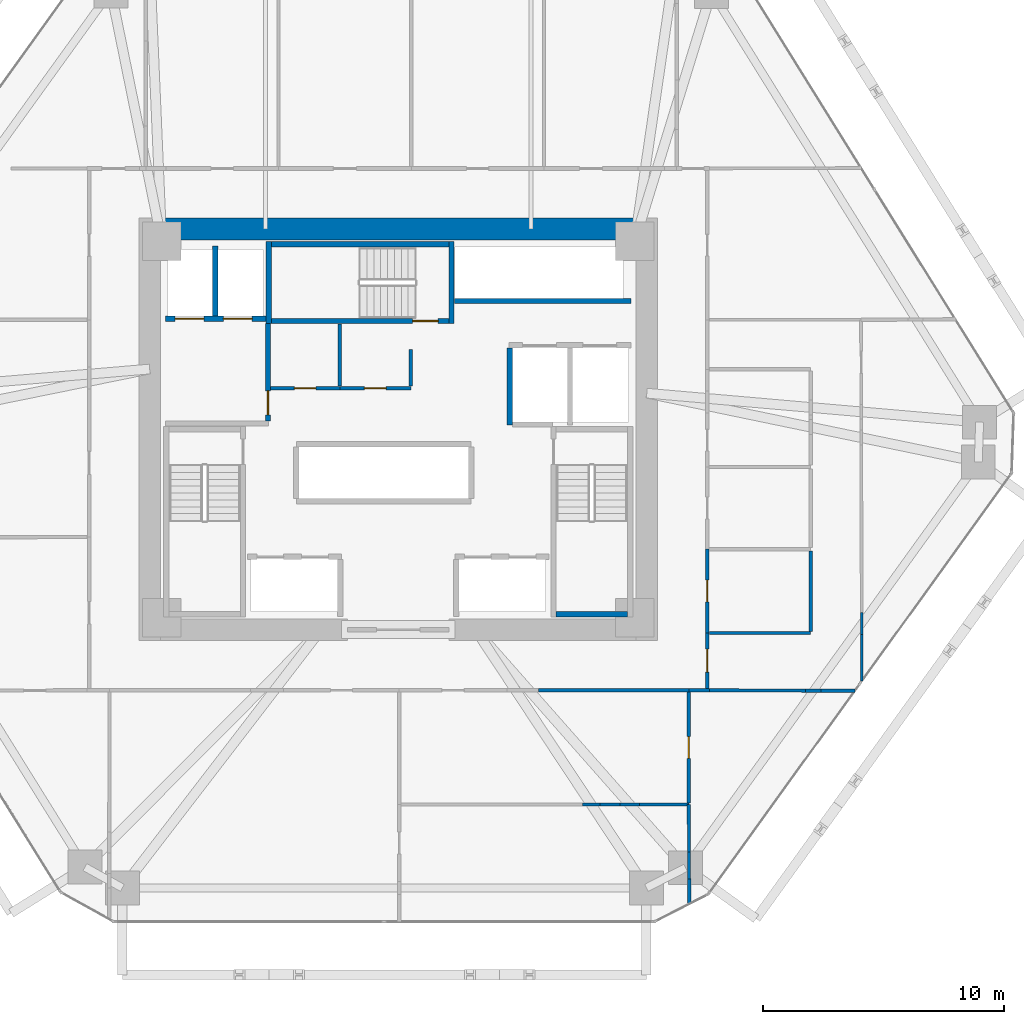
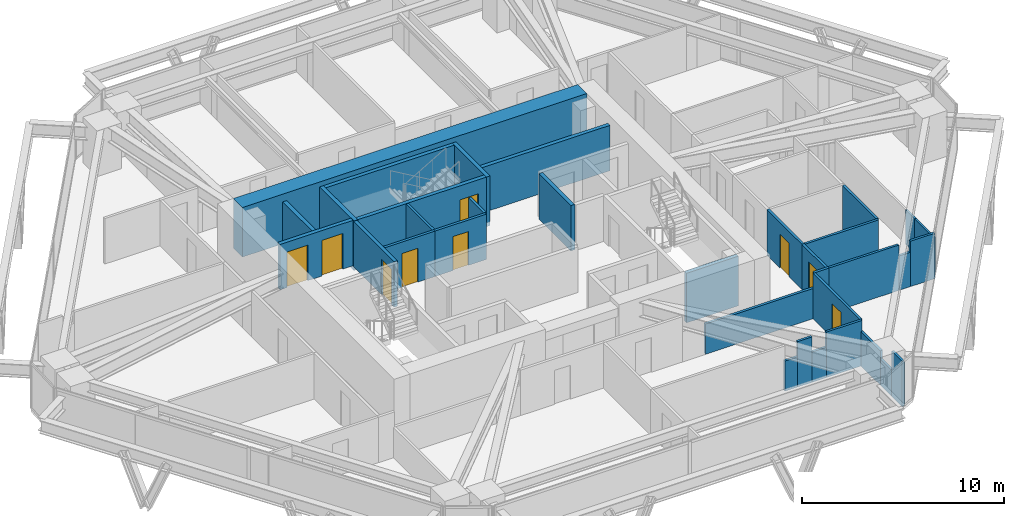
# One storey, part 12 of 15: 34 walls, 9 doors, 9 openings.
"""IFC4 building model written with IfcOpenShell, lengths in metres."""

from ifc_helpers import new_model, si_unit, direction, frame, frame_2d, origin, place, context, subcontext, project, spatial, rectangle, extrude, source, transform, mapped, material, layer, layer_set, type_object, type_shapes, element, fill, save


model = new_model("IFC4")

# Units and contexts
model_context = context("Model", 3, precision=1e-05, world=origin(), true_north=direction((0.0, 1.0)))
body_context = subcontext(model_context, "Body", "Model", "MODEL_VIEW")
ifc_project = project(units=[si_unit("LENGTHUNIT", "METRE"), si_unit("AREAUNIT", "SQUARE_METRE"), si_unit("VOLUMEUNIT", "CUBIC_METRE"), si_unit("PLANEANGLEUNIT", "RADIAN"), si_unit("MASSUNIT", "GRAM", prefix="KILO")], contexts=[model_context])

# Site, building, storey
site_placement = place(None, origin())
site = spatial("IfcSite", under=ifc_project, at=site_placement, CompositionType="ELEMENT")
building_placement = place(site_placement, origin())
building = spatial("IfcBuilding", under=site, at=building_placement, Name="Durnholm Broadcast Tower", CompositionType="ELEMENT")
storey_placement = place(building_placement, frame((0.0, 0.0, 75.300048828125)))
storey = spatial("IfcBuildingStorey", under=building, at=storey_placement, Name="L19", CompositionType="ELEMENT", Elevation=75.300048828125)

# Wall
ifc_material_1 = material(Name="Concrete C70/85", Category="concrete")
ifc_layer_1 = layer(ifc_material_1, 0.89990234375)
ifc_layer_set_1 = layer_set([ifc_layer_1], Name="Concrete C70/85")
wall_type_1 = type_object("IfcWallType", Name="WALL-CW-900", PredefinedType="SHEAR", material=ifc_layer_set_1)
wall_1_placement = place(storey_placement, frame((-9.85009765625, 8.300048828125, 0.0), z_axis=(0.0, 0.0, 1.0), x_axis=(1.0, 0.0, 0.0)))
element("IfcWall", 1, at=wall_1_placement, inside=storey, type_object=wall_type_1, Name="L19 central core shear wall CW-N", PredefinedType="SHEAR", context=body_context, shape_type="SweptSolid", body=[
    extrude(rectangle(XDim=19.7001953125, YDim=0.89990234375, at=frame_2d((9.85009765625, 0.0))), origin(), (0.0, 0.0, 1.0), 3.0),
])

# Wall, opening, door
ifc_material_2 = material(Name="Fire-Rated Gypsum Shaftwall", Category="concrete")
ifc_layer_2 = layer(ifc_material_2, 0.199951171875)
ifc_layer_set_2 = layer_set([ifc_layer_2], Name="Fire-Rated Gypsum Shaftwall")
wall_type_2 = type_object("IfcWallType", Name="WALL-LOB-200", PredefinedType="SOLIDWALL", material=ifc_layer_set_2)
wall_2_placement = place(storey_placement, frame((-5.39990234375, 0.35400390625, 0.0), z_axis=(0.0, 0.0, 1.0), x_axis=(0.0, 1.0, 0.0)))
wall_2 = element("IfcWall", 2, at=wall_2_placement, inside=storey, type_object=wall_type_2, Name="L19 Fire Service Access Elevator lobby east fire wall", PredefinedType="SOLIDWALL", context=body_context, shape_type="SweptSolid", body=[
    extrude(rectangle(XDim=4.02587890625, YDim=0.199951171875, at=frame_2d((2.012939453125, 0.0))), origin(), (0.0, 0.0, 1.0), 2.744873046875),
])
opening_1_placement = place(wall_2_placement, frame((0.24609375, 0.0, 0.0)))
opening_1 = element("IfcOpeningElement", 3, at=opening_1_placement, cuts=wall_2, Name="Opening DL-60R", PredefinedType="OPENING", context=body_context, shape_type="SweptSolid", body=[
    extrude(rectangle(XDim=1.0, YDim=2.14990234375, at=frame_2d((0.5, 1.074951171875))), frame((0.0, 0.10986328125, 0.0), z_axis=(0.0, -1.0, 0.0), x_axis=(1.0, 0.0, 0.0)), (0.0, 0.0, 1.0), 0.219970703125),
])
ifc_material_3 = material(Name="Fire-Rated Timber/Steel Door", Category="steel")
ifc_layer_3 = layer(ifc_material_3, 0.050048828125)
ifc_layer_set_3 = layer_set([ifc_layer_3], Name="Fire-Rated Timber/Steel Door")
door_type_1 = type_object("IfcDoorType", Name="DOOR-LOB-FD60-R", OperationType="NOTDEFINED", PredefinedType="DOOR", material=ifc_layer_set_3)
shared_shape_1 = source(origin(), body_context, "Body", "SweptSolid", [
    extrude(rectangle(XDim=1.0, YDim=2.14990234375, at=frame_2d((0.5, 1.074951171875))), frame((0.0, 0.02490234375, 0.0), z_axis=(0.0, -1.0, 0.0), x_axis=(1.0, 0.0, 0.0)), (0.0, 0.0, 1.0), 0.050048828125),
])
type_shapes(door_type_1, [shared_shape_1])
door_1_placement = place(opening_1_placement, origin())
door_1 = element("IfcDoor", 4, at=door_1_placement, inside=storey, type_object=door_type_1, Name="L19 Fire Service Access Elevator lobby smoke door", OperationType="SINGLE_SWING_RIGHT", OverallHeight=2.14990234375, OverallWidth=1.0, PredefinedType="DOOR", context=body_context, shape_type="MappedRepresentation", body=[
    mapped(shared_shape_1, transform((0.0, 0.0, 0.0), x_axis=(1.0, 0.0, 0.0), y_axis=(0.0, 1.0, 0.0), z_axis=(0.0, 0.0, 1.0), scale=1.0)),
])
fill(opening_1, door_1)

# Walls
ifc_material_4 = material(Name="Operable Acoustic Panel Partition", Category="aluminium")
ifc_layer_4 = layer(ifc_material_4, 0.110107421875)
ifc_layer_set_4 = layer_set([ifc_layer_4], Name="Operable Acoustic Panel Partition")
wall_type_3 = type_object("IfcWallType", Name="WALL-MOV-110", PredefinedType="MOVABLE", material=ifc_layer_set_4)
wall_3_placement = place(storey_placement, frame((19.205078125, -8.498779296875, 0.0), z_axis=(0.0, 0.0, 1.0), x_axis=(0.002270428053, -0.999997422575, 0.0)))
element("IfcWall", 5, at=wall_3_placement, inside=storey, type_object=wall_type_3, Name="L19 room dividing partition 20.21", PredefinedType="MOVABLE", context=body_context, shape_type="SweptSolid", body=[
    extrude(rectangle(XDim=1.935546875, YDim=0.110107421875, at=frame_2d((0.9677734375, 0.0))), origin(), (0.0, 0.0, 1.0), 2.079833984375),
])
wall_4_placement = place(storey_placement, frame((19.203369140625, -7.5966796875, 0.0), z_axis=(0.0, 0.0, 1.0), x_axis=(0.001894448563, -0.999998205531, 0.0)))
element("IfcWall", 6, at=wall_4_placement, inside=storey, type_object=wall_type_3, Name="L19 room dividing partition 20.21", PredefinedType="MOVABLE", context=body_context, shape_type="SweptSolid", body=[
    extrude(rectangle(XDim=0.902099609375, YDim=0.110107421875, at=frame_2d((0.451171875, 0.0))), origin(), (0.0, 0.0, 1.0), 2.079833984375),
])
ifc_material_5 = material(Name="Gypsum Metal Stud Partition", Category="concrete")
ifc_layer_5 = layer(ifc_material_5, 0.135009765625)
ifc_layer_set_5 = layer_set([ifc_layer_5], Name="Gypsum Metal Stud Partition")
wall_type_4 = type_object("IfcWallType", Name="WALL-PART-135", PredefinedType="PARTITIONING", material=ifc_layer_set_5)
wall_5_placement = place(storey_placement, frame((-2.419921875, 4.375, 0.0), z_axis=(0.0, 0.0, 1.0), x_axis=(0.0, -1.0, 0.0)))
element("IfcWall", 7, at=wall_5_placement, inside=storey, type_object=wall_type_4, Name="L19 room dividing partition 1.2", PredefinedType="PARTITIONING", context=body_context, shape_type="SweptSolid", body=[
    extrude(rectangle(XDim=2.5859375, YDim=0.135009765625, at=frame_2d((1.29296875, 0.0))), origin(), (0.0, 0.0, 1.0), 2.744873046875),
])
wall_6_placement = place(storey_placement, frame((8.35791015625, -15.544921875, 0.0), z_axis=(0.0, 0.0, 1.0), x_axis=(1.0, 0.0, 0.0)))
element("IfcWall", 8, at=wall_6_placement, inside=storey, type_object=wall_type_4, Name="L19 room dividing partition 14.15", PredefinedType="PARTITIONING", context=body_context, shape_type="SweptSolid", body=[
    extrude(rectangle(XDim=0.831787109375, YDim=0.135009765625, at=frame_2d((0.416015625, 0.0))), origin(), (0.0, 0.0, 1.0), 2.744873046875),
])
wall_7_placement = place(storey_placement, frame((9.995361328125, -15.544921875, 0.0), z_axis=(0.0, 0.0, 1.0), x_axis=(1.0, 0.0, 0.0)))
element("IfcWall", 9, at=wall_7_placement, inside=storey, type_object=wall_type_4, Name="L19 room dividing partition 14.15", PredefinedType="PARTITIONING", context=body_context, shape_type="SweptSolid", body=[
    extrude(rectangle(XDim=2.044677734375, YDim=0.135009765625, at=frame_2d((1.0224609375, 0.0))), origin(), (0.0, 0.0, 1.0), 2.744873046875),
])
wall_8_placement = place(storey_placement, frame((7.633544921875, -15.544921875, 0.0), z_axis=(0.0, 0.0, 1.0), x_axis=(1.0, 0.0, 0.0)))
element("IfcWall", 10, at=wall_8_placement, inside=storey, type_object=wall_type_4, Name="L19 room dividing partition 14.15", PredefinedType="PARTITIONING", context=body_context, shape_type="SweptSolid", body=[
    extrude(rectangle(XDim=0.724365234375, YDim=0.135009765625, at=frame_2d((0.3623046875, 0.0))), origin(), (0.0, 0.0, 1.0), 1.830078125),
])
wall_9_placement = place(storey_placement, frame((9.189697265625, -15.544921875, 0.0), z_axis=(0.0, 0.0, 1.0), x_axis=(1.0, 0.0, 0.0)))
element("IfcWall", 11, at=wall_9_placement, inside=storey, type_object=wall_type_4, Name="L19 room dividing partition 14.15", PredefinedType="PARTITIONING", context=body_context, shape_type="SweptSolid", body=[
    extrude(rectangle(XDim=0.8056640625, YDim=0.135009765625, at=frame_2d((0.40283203125, 0.0))), origin(), (0.0, 0.0, 1.0), 1.830078125),
])
wall_10_placement = place(storey_placement, frame((12.0400390625, -15.544921875, 0.0), z_axis=(0.0, 0.0, 1.0), x_axis=(0.004326288313, -0.999990641571, 0.0)))
element("IfcWall", 12, at=wall_10_placement, inside=storey, type_object=wall_type_4, Name="L19 room dividing partition 14.16", PredefinedType="PARTITIONING", context=body_context, shape_type="SweptSolid", body=[
    extrude(rectangle(XDim=1.97509765625, YDim=0.135009765625, at=frame_2d((0.987548828125, 0.0))), origin(), (0.0, 0.0, 1.0), 2.079833984375),
])
wall_11_placement = place(storey_placement, frame((12.0537109375, -18.634521484375, 0.0), z_axis=(0.0, 0.0, 1.0), x_axis=(0.004268398394, -0.999990890346, 0.0)))
element("IfcWall", 13, at=wall_11_placement, inside=storey, type_object=wall_type_4, Name="L19 room dividing partition 14.16", PredefinedType="PARTITIONING", context=body_context, shape_type="SweptSolid", body=[
    extrude(rectangle(XDim=1.029541015625, YDim=0.135009765625, at=frame_2d((0.5146484375, 0.0))), origin(), (0.0, 0.0, 1.0), 2.744873046875),
])
wall_12_placement = place(storey_placement, frame((12.048583984375, -17.52001953125, 0.0), z_axis=(0.0, 0.0, 1.0), x_axis=(0.004600170384, -0.99998941916, 0.0)))
element("IfcWall", 14, at=wall_12_placement, inside=storey, type_object=wall_type_4, Name="L19 room dividing partition 14.16", PredefinedType="PARTITIONING", context=body_context, shape_type="SweptSolid", body=[
    extrude(rectangle(XDim=1.114501953125, YDim=0.135009765625, at=frame_2d((0.55712890625, 0.0))), origin(), (0.0, 0.0, 1.0), 1.5771484375),
])

# Wall, opening, door
wall_13_placement = place(storey_placement, frame((12.0400390625, -10.888916015625, 0.0), z_axis=(0.0, 0.0, 1.0), x_axis=(0.0, -1.0, 0.0)))
wall_13 = element("IfcWall", 15, at=wall_13_placement, inside=storey, type_object=wall_type_4, Name="L19 room dividing partition 15.16", PredefinedType="PARTITIONING", context=body_context, shape_type="SweptSolid", body=[
    extrude(rectangle(XDim=4.58447265625, YDim=0.135009765625, at=frame_2d((2.292236328125, 0.0))), origin(), (0.0, 0.0, 1.0), 2.744873046875),
])
opening_2_placement = place(wall_13_placement, frame((1.84228515625, 0.0, 0.0)))
opening_2 = element("IfcOpeningElement", 16, at=opening_2_placement, cuts=wall_13, Name="Opening DW-90L", PredefinedType="OPENING", context=body_context, shape_type="SweptSolid", body=[
    extrude(rectangle(XDim=0.89990234375, YDim=2.050048828125, at=frame_2d((0.449951171875, 1.02490234375))), frame((0.0, 0.07763671875, 0.0), z_axis=(0.0, -1.0, 0.0), x_axis=(1.0, 0.0, 0.0)), (0.0, 0.0, 1.0), 0.155029296875),
])
ifc_material_6 = material(Name="Laminate Restroom Door", Category="steel")
ifc_layer_6 = layer(ifc_material_6, 0.050048828125)
ifc_layer_set_6 = layer_set([ifc_layer_6], Name="Laminate Restroom Door")
door_type_2 = type_object("IfcDoorType", Name="DOOR-WC-900L", OperationType="NOTDEFINED", PredefinedType="DOOR", material=ifc_layer_set_6)
shared_shape_2 = source(origin(), body_context, "Body", "SweptSolid", [
    extrude(rectangle(XDim=0.89990234375, YDim=2.050048828125, at=frame_2d((0.449951171875, 1.02490234375))), frame((0.0, 0.02490234375, 0.0), z_axis=(0.0, -1.0, 0.0), x_axis=(1.0, 0.0, 0.0)), (0.0, 0.0, 1.0), 0.050048828125),
])
type_shapes(door_type_2, [shared_shape_2])
door_2_placement = place(opening_2_placement, origin())
door_2 = element("IfcDoor", 17, at=door_2_placement, inside=storey, type_object=door_type_2, Name="L19 Documentary Office 2 connecting door", OperationType="SINGLE_SWING_LEFT", OverallHeight=2.050048828125, OverallWidth=0.89990234375, PredefinedType="DOOR", context=body_context, shape_type="MappedRepresentation", body=[
    mapped(shared_shape_2, transform((0.0, 0.0, 0.0), x_axis=(1.0, 0.0, 0.0), y_axis=(0.0, 1.0, 0.0), z_axis=(0.0, 0.0, 1.0), scale=1.0)),
])
fill(opening_2, door_2)

# Walls
wall_14_placement = place(storey_placement, frame((12.889892578125, -10.810302734375, 0.0), z_axis=(0.0, 0.0, 1.0), x_axis=(0.999992552799, -0.003859319458, 0.0)))
element("IfcWall", 18, at=wall_14_placement, inside=storey, type_object=wall_type_4, Name="L19 room dividing partition 16.20", PredefinedType="PARTITIONING", context=body_context, shape_type="SweptSolid", body=[
    extrude(rectangle(XDim=3.9853515625, YDim=0.135009765625, at=frame_2d((1.99267578125, 0.0))), origin(), (0.0, 0.0, 1.0), 2.744873046875),
])
wall_15_placement = place(storey_placement, frame((17.52587890625, -10.828125, 0.0), z_axis=(0.0, 0.0, 1.0), x_axis=(0.999992598457, -0.003847470648, 0.0)))
element("IfcWall", 19, at=wall_15_placement, inside=storey, type_object=wall_type_4, Name="L19 room dividing partition 16.20", PredefinedType="PARTITIONING", context=body_context, shape_type="SweptSolid", body=[
    extrude(rectangle(XDim=1.39599609375, YDim=0.135009765625, at=frame_2d((0.697998046875, 0.0))), origin(), (0.0, 0.0, 1.0), 2.744873046875),
])
wall_16_placement = place(storey_placement, frame((16.875244140625, -10.82568359375, 0.0), z_axis=(0.0, 0.0, 1.0), x_axis=(0.999992960027, -0.003752318799, 0.0)))
element("IfcWall", 20, at=wall_16_placement, inside=storey, type_object=wall_type_4, Name="L19 room dividing partition 16.20", PredefinedType="PARTITIONING", context=body_context, shape_type="SweptSolid", body=[
    extrude(rectangle(XDim=0.650634765625, YDim=0.135009765625, at=frame_2d((0.3251953125, 0.0))), origin(), (0.0, 0.0, 1.0), 2.079833984375),
])

# Wall, opening, door
ifc_material_7 = material(Name="Acoustic Gypsum Stud Partition", Category="concrete")
ifc_layer_7 = layer(ifc_material_7, 0.14990234375)
ifc_layer_set_7 = layer_set([ifc_layer_7], Name="Acoustic Gypsum Stud Partition")
wall_type_5 = type_object("IfcWallType", Name="WALL-PART-150", PredefinedType="PARTITIONING", material=ifc_layer_set_7)
wall_17_placement = place(storey_placement, frame((-2.419921875, 1.7099609375, 0.0), z_axis=(0.0, 0.0, 1.0), x_axis=(-1.0, 0.0, 0.0)))
wall_17 = element("IfcWall", 21, at=wall_17_placement, inside=storey, type_object=wall_type_5, Name="L19 Core Equipment Store corridor partition", PredefinedType="PARTITIONING", context=body_context, shape_type="SweptSolid", body=[
    extrude(rectangle(XDim=2.8759765625, YDim=0.14990234375, at=frame_2d((1.43798828125, 0.0))), origin(), (0.0, 0.0, 1.0), 2.744873046875),
])
opening_3_placement = place(wall_17_placement, frame((0.988037109375, 0.0, 0.0)))
opening_3 = element("IfcOpeningElement", 22, at=opening_3_placement, cuts=wall_17, Name="Opening DC-60L", PredefinedType="OPENING", context=body_context, shape_type="SweptSolid", body=[
    extrude(rectangle(XDim=0.89990234375, YDim=2.050048828125, at=frame_2d((0.449951171875, 1.02490234375))), frame((0.0, 0.0849609375, 0.0), z_axis=(0.0, -1.0, 0.0), x_axis=(1.0, 0.0, 0.0)), (0.0, 0.0, 1.0), 0.169921875),
])
ifc_material_8 = material(Name="Fire-Rated Core Service Door", Category="steel")
ifc_layer_8 = layer(ifc_material_8, 0.050048828125)
ifc_layer_set_8 = layer_set([ifc_layer_8], Name="Fire-Rated Core Service Door")
door_type_3 = type_object("IfcDoorType", Name="DOOR-CORE-FD60-L", OperationType="NOTDEFINED", PredefinedType="DOOR", material=ifc_layer_set_8)
shared_shape_3 = source(origin(), body_context, "Body", "SweptSolid", [
    extrude(rectangle(XDim=0.89990234375, YDim=2.050048828125, at=frame_2d((0.449951171875, 1.02490234375))), frame((0.0, 0.02490234375, 0.0), z_axis=(0.0, -1.0, 0.0), x_axis=(1.0, 0.0, 0.0)), (0.0, 0.0, 1.0), 0.050048828125),
])
type_shapes(door_type_3, [shared_shape_3])
door_3_placement = place(opening_3_placement, origin())
door_3 = element("IfcDoor", 23, at=door_3_placement, inside=storey, type_object=door_type_3, Name="L19 Core Equipment Store entrance door", OperationType="SINGLE_SWING_LEFT", OverallHeight=2.050048828125, OverallWidth=0.89990234375, PredefinedType="DOOR", context=body_context, shape_type="MappedRepresentation", body=[
    mapped(shared_shape_3, transform((0.0, 0.0, 0.0), x_axis=(1.0, 0.0, 0.0), y_axis=(0.0, 1.0, 0.0), z_axis=(0.0, 0.0, 1.0), scale=1.0)),
])
fill(opening_3, door_3)

wall_18_placement = place(storey_placement, frame((0.52001953125, 1.7099609375, 0.0), z_axis=(0.0, 0.0, 1.0), x_axis=(-1.0, 0.0, 0.0)))
wall_18 = element("IfcWall", 24, at=wall_18_placement, inside=storey, type_object=wall_type_5, Name="L19 Core Mail and Supply Room corridor partition", PredefinedType="PARTITIONING", context=body_context, shape_type="SweptSolid", body=[
    extrude(rectangle(XDim=2.93994140625, YDim=0.14990234375, at=frame_2d((1.469970703125, 0.0))), origin(), (0.0, 0.0, 1.0), 2.744873046875),
])
opening_4_placement = place(wall_18_placement, frame((1.02001953125, 0.0, 0.0)))
opening_4 = element("IfcOpeningElement", 25, at=opening_4_placement, cuts=wall_18, Name="Opening DC-60R", PredefinedType="OPENING", context=body_context, shape_type="SweptSolid", body=[
    extrude(rectangle(XDim=0.89990234375, YDim=2.050048828125, at=frame_2d((0.449951171875, 1.02490234375))), frame((0.0, 0.0849609375, 0.0), z_axis=(0.0, -1.0, 0.0), x_axis=(1.0, 0.0, 0.0)), (0.0, 0.0, 1.0), 0.169921875),
])
ifc_layer_9 = layer(ifc_material_8, 0.050048828125)
ifc_layer_set_9 = layer_set([ifc_layer_9], Name="Fire-Rated Core Service Door")
door_type_4 = type_object("IfcDoorType", Name="DOOR-CORE-FD60-R", OperationType="NOTDEFINED", PredefinedType="DOOR", material=ifc_layer_set_9)
shared_shape_4 = source(origin(), body_context, "Body", "SweptSolid", [
    extrude(rectangle(XDim=0.89990234375, YDim=2.050048828125, at=frame_2d((0.449951171875, 1.02490234375))), frame((0.0, 0.02490234375, 0.0), z_axis=(0.0, -1.0, 0.0), x_axis=(1.0, 0.0, 0.0)), (0.0, 0.0, 1.0), 0.050048828125),
])
type_shapes(door_type_4, [shared_shape_4])
door_4_placement = place(opening_4_placement, origin())
door_4 = element("IfcDoor", 26, at=door_4_placement, inside=storey, type_object=door_type_4, Name="L19 Core Mail and Supply Room entrance door", OperationType="SINGLE_SWING_RIGHT", OverallHeight=2.050048828125, OverallWidth=0.89990234375, PredefinedType="DOOR", context=body_context, shape_type="MappedRepresentation", body=[
    mapped(shared_shape_4, transform((0.0, 0.0, 0.0), x_axis=(1.0, 0.0, 0.0), y_axis=(0.0, 1.0, 0.0), z_axis=(0.0, 0.0, 1.0), scale=1.0)),
])
fill(opening_4, door_4)

# Walls
wall_19_placement = place(storey_placement, frame((0.52001953125, 3.300048828125, 0.0), z_axis=(0.0, 0.0, 1.0), x_axis=(0.0, -1.0, 0.0)))
element("IfcWall", 27, at=wall_19_placement, inside=storey, type_object=wall_type_5, Name="L19 Core Mail and Supply Room corridor partition", PredefinedType="PARTITIONING", context=body_context, shape_type="SweptSolid", body=[
    extrude(rectangle(XDim=1.510986328125, YDim=0.14990234375, at=frame_2d((0.75537109375, 0.0))), origin(), (0.0, 0.0, 1.0), 2.744873046875),
])
wall_20_placement = place(storey_placement, frame((5.8173828125, -10.81005859375, 0.0), z_axis=(0.0, 0.0, 1.0), x_axis=(1.0, 0.0, 0.0)))
element("IfcWall", 28, at=wall_20_placement, inside=storey, type_object=wall_type_5, Name="L19 Documentary Office 1 corridor partition", PredefinedType="PARTITIONING", context=body_context, shape_type="SweptSolid", body=[
    extrude(rectangle(XDim=6.22265625, YDim=0.14990234375, at=frame_2d((3.111328125, 0.0))), origin(), (0.0, 0.0, 1.0), 1.830078125),
])
wall_21_placement = place(storey_placement, frame((12.0400390625, -10.81005859375, 0.0), z_axis=(0.0, 0.0, 1.0), x_axis=(1.0, 0.0, 0.0)))
element("IfcWall", 29, at=wall_21_placement, inside=storey, type_object=wall_type_5, Name="L19 Documentary Office 2 corridor partition", PredefinedType="PARTITIONING", context=body_context, shape_type="SweptSolid", body=[
    extrude(rectangle(XDim=0.849853515625, YDim=0.14990234375, at=frame_2d((0.4248046875, 0.0))), origin(), (0.0, 0.0, 1.0), 2.744873046875),
])

# Wall, opening, door
wall_22_placement = place(storey_placement, frame((12.81005859375, -10.73095703125, 0.0), z_axis=(0.0, 0.0, 1.0), x_axis=(0.0, 1.0, 0.0)))
wall_22 = element("IfcWall", 30, at=wall_22_placement, inside=storey, type_object=wall_type_5, Name="L19 Media Review Meeting Room corridor partition", PredefinedType="PARTITIONING", context=body_context, shape_type="SweptSolid", body=[
    extrude(rectangle(XDim=2.291015625, YDim=0.14990234375, at=frame_2d((1.1455078125, 0.0))), origin(), (0.0, 0.0, 1.0), 2.744873046875),
])
opening_5_placement = place(wall_22_placement, frame((0.67041015625, 0.0, 0.0)))
opening_5 = element("IfcOpeningElement", 31, at=opening_5_placement, cuts=wall_22, Name="Opening DR-95L", PredefinedType="OPENING", context=body_context, shape_type="SweptSolid", body=[
    extrude(rectangle(XDim=0.949951171875, YDim=2.10009765625, at=frame_2d((0.47509765625, 1.050048828125))), frame((0.0, 0.0849609375, 0.0), z_axis=(0.0, -1.0, 0.0), x_axis=(1.0, 0.0, 0.0)), (0.0, 0.0, 1.0), 0.169921875),
])
ifc_material_9 = material(Name="Acoustic Oak Veneer Timber Door", Category="wood")
ifc_layer_10 = layer(ifc_material_9, 0.050048828125)
ifc_layer_set_10 = layer_set([ifc_layer_10], Name="Acoustic Oak Veneer Timber Door")
door_type_5 = type_object("IfcDoorType", Name="DOOR-RM-950L", OperationType="NOTDEFINED", PredefinedType="DOOR", material=ifc_layer_set_10)
shared_shape_5 = source(origin(), body_context, "Body", "SweptSolid", [
    extrude(rectangle(XDim=0.949951171875, YDim=2.10009765625, at=frame_2d((0.47509765625, 1.050048828125))), frame((0.0, 0.02490234375, 0.0), z_axis=(0.0, -1.0, 0.0), x_axis=(1.0, 0.0, 0.0)), (0.0, 0.0, 1.0), 0.050048828125),
])
type_shapes(door_type_5, [shared_shape_5])
door_5_placement = place(opening_5_placement, origin())
door_5 = element("IfcDoor", 32, at=door_5_placement, inside=storey, type_object=door_type_5, Name="L19 Media Review Meeting Room entrance door", OperationType="SINGLE_SWING_LEFT", OverallHeight=2.10009765625, OverallWidth=0.949951171875, PredefinedType="DOOR", context=body_context, shape_type="MappedRepresentation", body=[
    mapped(shared_shape_5, transform((0.0, 0.0, 0.0), x_axis=(1.0, 0.0, 0.0), y_axis=(0.0, 1.0, 0.0), z_axis=(0.0, 0.0, 1.0), scale=1.0)),
])
fill(opening_5, door_5)

# Wall, openings, doors
ifc_material_10 = material(Name="Concrete Blockwork C30/37", Category="masonry")
ifc_layer_11 = layer(ifc_material_10, 0.219970703125)
ifc_layer_set_11 = layer_set([ifc_layer_11], Name="Concrete Blockwork C30/37")
wall_type_6 = type_object("IfcWallType", Name="WALL-SHAFT-220", PredefinedType="SOLIDWALL", material=ifc_layer_set_11)
wall_23_placement = place(storey_placement, frame((-9.64990234375, 4.580078125, 0.0), z_axis=(0.0, 0.0, 1.0), x_axis=(1.0, 0.0, 0.0)))
wall_23 = element("IfcWall", 33, at=wall_23_placement, inside=storey, type_object=wall_type_6, Name="L19 FSAE hoistway front fire wall", PredefinedType="SOLIDWALL", context=body_context, shape_type="SweptSolid", body=[
    extrude(rectangle(XDim=4.1748046875, YDim=0.219970703125, at=frame_2d((2.08740234375, 0.0))), origin(), (0.0, 0.0, 1.0), 2.744873046875),
])
opening_6_placement = place(wall_23_placement, frame((0.39990234375, 0.0, 0.0)))
opening_6 = element("IfcOpeningElement", 34, at=opening_6_placement, cuts=wall_23, Name="Opening LD-FSAE-2", PredefinedType="OPENING", context=body_context, shape_type="SweptSolid", body=[
    extrude(rectangle(XDim=1.199951171875, YDim=2.14990234375, at=frame_2d((0.60009765625, 1.074951171875))), frame((0.0, 0.1201171875, 0.0), z_axis=(0.0, -1.0, 0.0), x_axis=(1.0, 0.0, 0.0)), (0.0, 0.0, 1.0), 0.239990234375),
])
opening_7_placement = place(wall_23_placement, frame((2.39990234375, 0.0, 0.0)))
opening_7 = element("IfcOpeningElement", 35, at=opening_7_placement, cuts=wall_23, Name="Opening LD-FSAE-1", PredefinedType="OPENING", context=body_context, shape_type="SweptSolid", body=[
    extrude(rectangle(XDim=1.199951171875, YDim=2.14990234375, at=frame_2d((0.60009765625, 1.074951171875))), frame((0.0, 0.1201171875, 0.0), z_axis=(0.0, -1.0, 0.0), x_axis=(1.0, 0.0, 0.0)), (0.0, 0.0, 1.0), 0.239990234375),
])
ifc_material_11 = material(Name="Fire Service Access Sliding Landing Door", Category="steel")
ifc_layer_12 = layer(ifc_material_11, 0.050048828125)
ifc_layer_set_12 = layer_set([ifc_layer_12], Name="Fire Service Access Sliding Landing Door")
door_type_6 = type_object("IfcDoorType", Name="DOOR-LIFT-FSAE", OperationType="DOUBLE_DOOR_SLIDING", PredefinedType="DOOR", material=ifc_layer_set_12)
shared_shape_6 = source(origin(), body_context, "Body", "SweptSolid", [
    extrude(rectangle(XDim=1.199951171875, YDim=2.14990234375, at=frame_2d((0.60009765625, 1.074951171875))), frame((0.0, 0.02490234375, 0.0), z_axis=(0.0, -1.0, 0.0), x_axis=(1.0, 0.0, 0.0)), (0.0, 0.0, 1.0), 0.050048828125),
])
type_shapes(door_type_6, [shared_shape_6])
door_6_placement = place(opening_6_placement, origin())
door_6 = element("IfcDoor", 36, at=door_6_placement, inside=storey, type_object=door_type_6, Name="L19 Fire Service Access Elevator FSAE-2 sliding landing door", OperationType="DOUBLE_DOOR_SLIDING", OverallHeight=2.14990234375, OverallWidth=1.199951171875, PredefinedType="DOOR", context=body_context, shape_type="MappedRepresentation", body=[
    mapped(shared_shape_6, transform((0.0, 0.0, 0.0), x_axis=(1.0, 0.0, 0.0), y_axis=(0.0, 1.0, 0.0), z_axis=(0.0, 0.0, 1.0), scale=1.0)),
])
fill(opening_6, door_6)
door_7_placement = place(opening_7_placement, origin())
door_7 = element("IfcDoor", 37, at=door_7_placement, inside=storey, type_object=door_type_6, Name="L19 Fire Service Access Elevator FSAE-1 sliding landing door", OperationType="DOUBLE_DOOR_SLIDING", OverallHeight=2.14990234375, OverallWidth=1.199951171875, PredefinedType="DOOR", context=body_context, shape_type="MappedRepresentation", body=[
    mapped(shared_shape_6, transform((0.0, 0.0, 0.0), x_axis=(1.0, 0.0, 0.0), y_axis=(0.0, 1.0, 0.0), z_axis=(0.0, 0.0, 1.0), scale=1.0)),
])
fill(opening_7, door_7)

# Walls
wall_24_placement = place(storey_placement, frame((-7.580078125, 4.694091796875, 0.0), z_axis=(0.0, 0.0, 1.0), x_axis=(0.0, 1.0, 0.0)))
element("IfcWall", 38, at=wall_24_placement, inside=storey, type_object=wall_type_6, Name="L19 FSAE shaft divider wall", PredefinedType="SOLIDWALL", context=body_context, shape_type="SweptSolid", body=[
    extrude(rectangle(XDim=2.906005859375, YDim=0.219970703125, at=frame_2d((1.453125, 0.0))), origin(), (0.0, 0.0, 1.0), 2.744873046875),
])
wall_25_placement = place(storey_placement, frame((4.6201171875, 0.179931640625, 0.0), z_axis=(0.0, 0.0, 1.0), x_axis=(0.0, 1.0, 0.0)))
element("IfcWall", 39, at=wall_25_placement, inside=storey, type_object=wall_type_6, Name="L19 freight service lift SVL-2 west wall", PredefinedType="SOLIDWALL", context=body_context, shape_type="SweptSolid", body=[
    extrude(rectangle(XDim=3.18603515625, YDim=0.219970703125, at=frame_2d((1.593017578125, 0.0))), origin(), (0.0, 0.0, 1.0), 2.744873046875),
])
wall_26_placement = place(storey_placement, frame((2.324951171875, 5.320068359375, 0.0), z_axis=(0.0, 0.0, 1.0), x_axis=(1.0, 0.0, 0.0)))
element("IfcWall", 40, at=wall_26_placement, inside=storey, type_object=wall_type_6, Name="L19 high-rise bank P3 south front wall", PredefinedType="SOLIDWALL", context=body_context, shape_type="SweptSolid", body=[
    extrude(rectangle(XDim=7.324951171875, YDim=0.219970703125, at=frame_2d((3.66259765625, 0.0))), origin(), (0.0, 0.0, 1.0), 2.744873046875),
])
ifc_material_12 = material(Name="Concrete C50/60", Category="concrete")
ifc_layer_13 = layer(ifc_material_12, 0.219970703125)
ifc_layer_set_13 = layer_set([ifc_layer_13], Name="Concrete C50/60")
wall_type_7 = type_object("IfcWallType", Name="WALL-SW-220", PredefinedType="SHEAR", material=ifc_layer_set_13)
wall_27_placement = place(storey_placement, frame((6.5400390625, -7.659912109375, -0.239990234375), z_axis=(0.0, 0.0, 1.0), x_axis=(1.0, 0.0, 0.0)))
element("IfcWall", 41, at=wall_27_placement, inside=storey, type_object=wall_type_7, Name="L19 stair ST-2 structural shaft wall S", PredefinedType="SHEAR", context=body_context, shape_type="SweptSolid", body=[
    extrude(rectangle(XDim=2.9599609375, YDim=0.219970703125, at=frame_2d((1.47998046875, 0.0))), origin(), (0.0, 0.0, 1.0), 3.0),
])
for number, where, z_axis, x_axis, name in (
    (42, (2.2099609375, 4.3798828125, -0.239990234375), (0.0, 0.0, 1.0), (0.0, 1.0, 0.0), "L19 stair ST-3 structural shaft wall E"),
    (43, (-5.360107421875, 7.780029296875, -0.239990234375), (0.0, 0.0, 1.0), (0.0, -1.0, 0.0), "L19 stair ST-3 structural shaft wall W"),
):
    element("IfcWall", number, at=place(storey_placement, frame(where, z_axis=z_axis, x_axis=x_axis)), inside=storey, type_object=wall_type_7, Name=name, PredefinedType="SHEAR", context=body_context, shape_type="SweptSolid", body=[
        extrude(rectangle(XDim=3.400146484375, YDim=0.219970703125, at=frame_2d((1.7001953125, 0.0))), origin(), (0.0, 0.0, 1.0), 3.0),
    ])

# Wall, opening, door
wall_28_placement = place(storey_placement, frame((-5.25, 4.489990234375, -0.239990234375), z_axis=(0.0, 0.0, 1.0), x_axis=(1.0, 0.0, 0.0)))
wall_28 = element("IfcWall", 44, at=wall_28_placement, inside=storey, type_object=wall_type_7, Name="L19 stair ST-3 structural shaft wall S", PredefinedType="SHEAR", context=body_context, shape_type="SweptSolid", body=[
    extrude(rectangle(XDim=7.35009765625, YDim=0.219970703125, at=frame_2d((3.675048828125, 0.0))), origin(), (0.0, 0.0, 1.0), 3.0),
])
opening_8_placement = place(wall_28_placement, frame((5.85009765625, 0.0, 0.0)))
opening_8 = element("IfcOpeningElement", 45, at=opening_8_placement, cuts=wall_28, Name="Opening DS-90L", PredefinedType="OPENING", context=body_context, shape_type="SweptSolid", body=[
    extrude(rectangle(XDim=1.050048828125, YDim=2.14990234375, at=frame_2d((0.52490234375, 1.074951171875))), frame((0.0, 0.1201171875, 0.0), z_axis=(0.0, -1.0, 0.0), x_axis=(1.0, 0.0, 0.0)), (0.0, 0.0, 1.0), 0.239990234375),
])
ifc_material_13 = material(Name="Fire-Rated Steel Door", Category="steel")
ifc_layer_14 = layer(ifc_material_13, 0.050048828125)
ifc_layer_set_14 = layer_set([ifc_layer_14], Name="Fire-Rated Steel Door")
door_type_7 = type_object("IfcDoorType", Name="DOOR-ST-FD90-L", OperationType="NOTDEFINED", PredefinedType="DOOR", material=ifc_layer_set_14)
shared_shape_7 = source(origin(), body_context, "Body", "SweptSolid", [
    extrude(rectangle(XDim=1.050048828125, YDim=2.14990234375, at=frame_2d((0.52490234375, 1.074951171875))), frame((0.0, 0.02490234375, 0.0), z_axis=(0.0, -1.0, 0.0), x_axis=(1.0, 0.0, 0.0)), (0.0, 0.0, 1.0), 0.050048828125),
])
type_shapes(door_type_7, [shared_shape_7])
door_8_placement = place(opening_8_placement, origin())
door_8 = element("IfcDoor", 46, at=door_8_placement, inside=storey, type_object=door_type_7, Name="L19 exit stair ST-3 fire door", OperationType="SINGLE_SWING_LEFT", OverallHeight=2.14990234375, OverallWidth=1.050048828125, PredefinedType="DOOR", context=body_context, shape_type="MappedRepresentation", body=[
    mapped(shared_shape_7, transform((0.0, 0.0, 0.0), x_axis=(1.0, 0.0, 0.0), y_axis=(0.0, 1.0, 0.0), z_axis=(0.0, 0.0, 1.0), scale=1.0)),
])
fill(opening_8, door_8)

# Wall
wall_29_placement = place(storey_placement, frame((2.10009765625, 7.669921875, -0.239990234375), z_axis=(0.0, 0.0, 1.0), x_axis=(-1.0, 0.0, 0.0)))
element("IfcWall", 47, at=wall_29_placement, inside=storey, type_object=wall_type_7, Name="L19 stair ST-3 structural shaft wall N", PredefinedType="SHEAR", context=body_context, shape_type="SweptSolid", body=[
    extrude(rectangle(XDim=7.35009765625, YDim=0.219970703125, at=frame_2d((3.675048828125, 0.0))), origin(), (0.0, 0.0, 1.0), 3.0),
])

# Wall, opening, door
ifc_material_14 = material(Name="Moisture-Resistant Tile Partition", Category="concrete")
ifc_layer_15 = layer(ifc_material_14, 0.139892578125)
ifc_layer_set_15 = layer_set([ifc_layer_15], Name="Moisture-Resistant Tile Partition")
wall_type_8 = type_object("IfcWallType", Name="WALL-WC-140", PredefinedType="PARTITIONING", material=ifc_layer_set_15)
wall_30_placement = place(storey_placement, frame((12.81005859375, -8.43994140625, 0.0), z_axis=(0.0, 0.0, 1.0), x_axis=(0.0, 1.0, 0.0)))
wall_30 = element("IfcWall", 48, at=wall_30_placement, inside=storey, type_object=wall_type_8, Name="L19 Men's Restroom corridor partition", PredefinedType="PARTITIONING", context=body_context, shape_type="SweptSolid", body=[
    extrude(rectangle(XDim=3.47998046875, YDim=0.139892578125, at=frame_2d((1.739990234375, 0.0))), origin(), (0.0, 0.0, 1.0), 2.744873046875),
])
opening_9_placement = place(wall_30_placement, frame((1.2900390625, 0.0, 0.0)))
opening_9 = element("IfcOpeningElement", 49, at=opening_9_placement, cuts=wall_30, Name="Opening DW-90L", PredefinedType="OPENING", context=body_context, shape_type="SweptSolid", body=[
    extrude(rectangle(XDim=0.89990234375, YDim=2.050048828125, at=frame_2d((0.449951171875, 1.02490234375))), frame((0.0, 0.080078125, 0.0), z_axis=(0.0, -1.0, 0.0), x_axis=(1.0, 0.0, 0.0)), (0.0, 0.0, 1.0), 0.159912109375),
])
door_9_placement = place(opening_9_placement, origin())
door_9 = element("IfcDoor", 50, at=door_9_placement, inside=storey, type_object=door_type_2, Name="L19 Men's Restroom entrance door", OperationType="SINGLE_SWING_LEFT", OverallHeight=2.050048828125, OverallWidth=0.89990234375, PredefinedType="DOOR", context=body_context, shape_type="MappedRepresentation", body=[
    mapped(shared_shape_2, transform((0.0, 0.0, 0.0), x_axis=(1.0, 0.0, 0.0), y_axis=(0.0, 1.0, 0.0), z_axis=(0.0, 0.0, 1.0), scale=1.0)),
])
fill(opening_9, door_9)

# Walls
wall_31_placement = place(storey_placement, frame((17.090087890625, -8.43994140625, 0.0), z_axis=(0.0, 0.0, 1.0), x_axis=(-1.0, 0.0, 0.0)))
element("IfcWall", 51, at=wall_31_placement, inside=storey, type_object=wall_type_8, Name="L19 room dividing partition 3.20", PredefinedType="PARTITIONING", context=body_context, shape_type="SweptSolid", body=[
    extrude(rectangle(XDim=4.201171875, YDim=0.139892578125, at=frame_2d((2.1005859375, 0.0))), origin(), (0.0, 0.0, 1.0), 2.744873046875),
])
wall_32_placement = place(storey_placement, frame((17.090087890625, -5.033935546875, 0.0), z_axis=(0.0, 0.0, 1.0), x_axis=(0.0, -1.0, 0.0)))
element("IfcWall", 52, at=wall_32_placement, inside=storey, type_object=wall_type_8, Name="L19 room dividing partition 3.20", PredefinedType="PARTITIONING", context=body_context, shape_type="SweptSolid", body=[
    extrude(rectangle(XDim=3.33203125, YDim=0.139892578125, at=frame_2d((1.666015625, 0.0))), origin(), (0.0, 0.0, 1.0), 2.744873046875),
])

save(model, "model.ifc")
